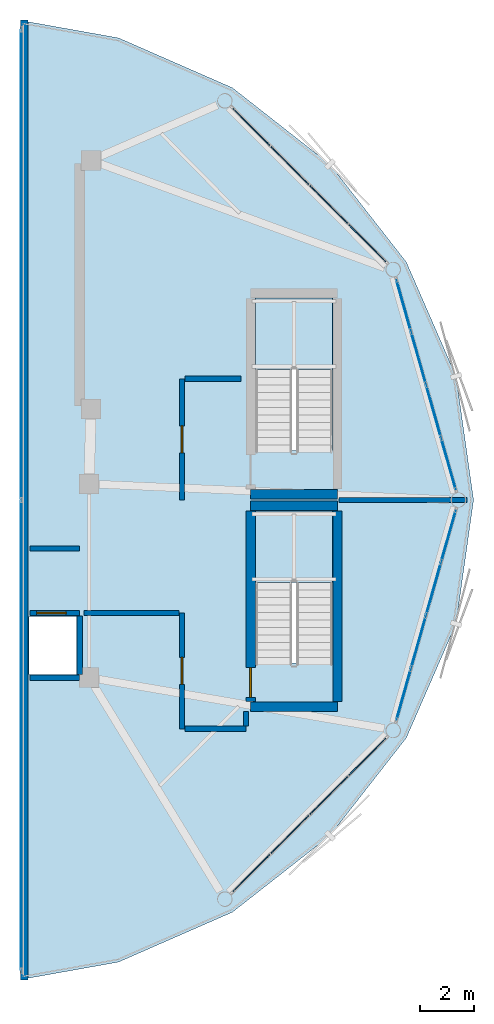
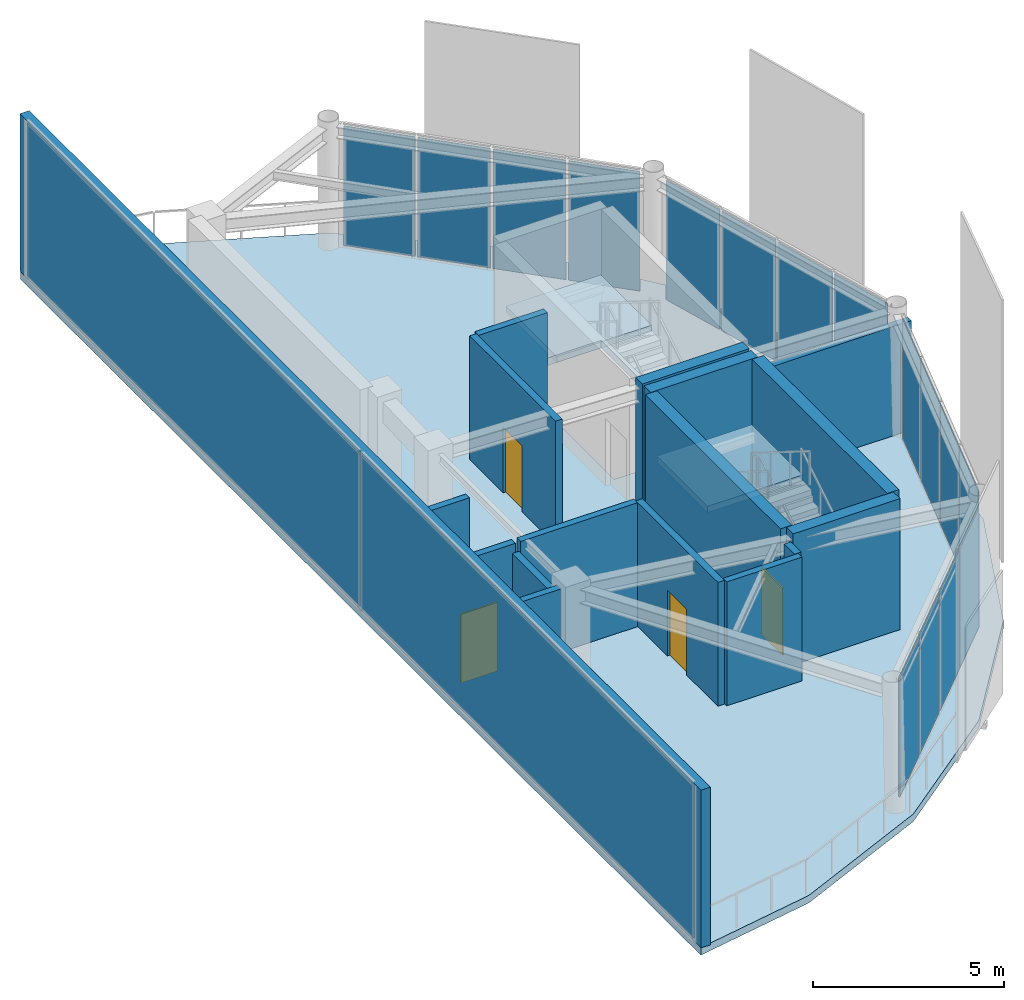
# One storey, part 11 of 13: 18 plates, 17 walls, 4 doors, 3 slabs, 4 openings, 7 elements without a shape of their own.
"""IFC4 building model written with IfcOpenShell, lengths in metres."""

from ifc_helpers import new_model, si_unit, direction, frame, frame_2d, origin, origin_2d, place, context, subcontext, project, spatial, polyline, rectangle, outline, extrude, source, transform, mapped, material, layer, layer_set, type_object, type_shapes, element, fill, aggregate, save


model = new_model("IFC4")

# Units and contexts
model_context = context("Model", 3, precision=1e-05, world=origin(), true_north=direction((0.0, 1.0)))
body_context = subcontext(model_context, "Body", "Model", "MODEL_VIEW")
ifc_project = project(units=[si_unit("LENGTHUNIT", "METRE"), si_unit("AREAUNIT", "SQUARE_METRE"), si_unit("VOLUMEUNIT", "CUBIC_METRE"), si_unit("PLANEANGLEUNIT", "RADIAN"), si_unit("MASSUNIT", "GRAM", prefix="KILO")], contexts=[model_context])

# Site, building, storey
site_placement = place(None, origin())
site = spatial("IfcSite", under=ifc_project, at=site_placement, CompositionType="ELEMENT")
building_placement = place(site_placement, origin())
building = spatial("IfcBuilding", under=site, at=building_placement, Name="Varnakorn Sky Granary", CompositionType="ELEMENT")
storey_placement = place(building_placement, frame((0.0, 0.0, 315.0)))
storey = spatial("IfcBuildingStorey", under=building, at=storey_placement, Name="L80", CompositionType="ELEMENT", Elevation=315.0)

# Stair, slab
ifc_material_1 = material(Name="Concrete C40/50", Category="concrete")
stair_type = type_object("IfcStairType", Name="ST-CRWN-ASSEMBLY", PredefinedType="HALF_TURN_STAIR", material=ifc_material_1)
stair_1_placement = place(storey_placement, origin())
stair_1 = element("IfcStair", 1, at=stair_1_placement, inside=storey, type_object=stair_type, Name="L80 Crown North Exit Stair ST-C1", PredefinedType="HALF_TURN_STAIR")
ifc_layer_1 = layer(ifc_material_1, 0.199951171875, Name="Concrete C40/50")
ifc_layer_set_1 = layer_set([ifc_layer_1], Name="Concrete C40/50")
slab_type_1 = type_object("IfcSlabType", Name="ST-CRWN-LAND", PredefinedType="LANDING", material=ifc_layer_set_1)
slab_1_placement = place(storey_placement, frame((0.0, 0.0, 1.89990234375)))
slab_1 = element("IfcSlab", 2, at=slab_1_placement, type_object=slab_type_1, Name="ST-C1 landing 1", PredefinedType="LANDING", context=body_context, shape_type="SweptSolid", body=[
    extrude(outline(polyline([(17.39990234375, 4.840087890625), (17.39990234375, 7.5), (14.530029296875, 7.5), (14.530029296875, 4.840087890625), (17.39990234375, 4.840087890625)])), origin(), (0.0, 0.0, 1.0), 0.2001953125),
])
aggregate(stair_1, [slab_1])

stair_2_placement = place(storey_placement, origin())
stair_2 = element("IfcStair", 3, at=stair_2_placement, inside=storey, type_object=stair_type, Name="L80 Crown South Exit Stair ST-C2", PredefinedType="HALF_TURN_STAIR")
slab_2_placement = place(storey_placement, frame((0.0, 0.0, 1.89990234375)))
slab_2 = element("IfcSlab", 4, at=slab_2_placement, type_object=slab_type_1, Name="ST-C2 landing 1", PredefinedType="LANDING", context=body_context, shape_type="SweptSolid", body=[
    extrude(outline(polyline([(17.39990234375, -3.06005859375), (17.39990234375, -0.39990234375), (14.530029296875, -0.39990234375), (14.530029296875, -3.06005859375), (17.39990234375, -3.06005859375)])), origin(), (0.0, 0.0, 1.0), 0.2001953125),
])
aggregate(stair_2, [slab_2])

# Slab
ifc_material_2 = material(Name="Concrete C50/60", Category="concrete")
ifc_layer_2 = layer(ifc_material_2, 0.239990234375, Name="Concrete C50/60")
ifc_layer_set_2 = layer_set([ifc_layer_2], Name="Concrete C50/60")
slab_type_2 = type_object("IfcSlabType", Name="ST-SL-TWR-240", PredefinedType="FLOOR", material=ifc_layer_set_2)
slab_3_placement = place(storey_placement, frame((0.0, 0.0, -0.239990234375)))
element("IfcSlab", 5, at=slab_3_placement, inside=storey, type_object=slab_type_2, Name="Level L80 Structural Floor Slab", PredefinedType="FLOOR", context=body_context, shape_type="SweptSolid", body=[
    extrude(outline(polyline([(22.635986328125, 0.0), (21.986572265625, 4.600830078125), (20.13623046875, 8.843017578125), (17.29931640625, 12.47412109375), (13.675537109375, 15.31640625), (9.441650390625, 17.17041015625), (5.800048828125, 17.821044921875), (5.800048828125, 17.17041015625), (5.800048828125, 15.31640625), (5.800048828125, 12.47412109375), (5.800048828125, 8.843017578125), (5.800048828125, 4.600830078125), (5.800048828125, 0.0), (5.800048828125, -4.600830078125), (5.800048828125, -8.843017578125), (5.800048828125, -12.47412109375), (5.800048828125, -15.31640625), (5.800048828125, -17.17041015625), (5.800048828125, -17.821044921875), (9.441650390625, -17.17041015625), (13.675537109375, -15.31640625), (17.29931640625, -12.47412109375), (20.13623046875, -8.843017578125), (21.986572265625, -4.600830078125), (22.635986328125, 0.0)]), holes=[polyline([(17.39990234375, 1.8349609375), (17.39990234375, 7.5), (14.530029296875, 7.5), (14.530029296875, 1.8349609375), (17.39990234375, 1.8349609375)]), polyline([(17.39990234375, -6.06494140625), (17.39990234375, -0.39990234375), (14.530029296875, -0.39990234375), (14.530029296875, -6.06494140625), (17.39990234375, -6.06494140625)]), polyline([(6.1201171875, -6.47998046875), (7.8798828125, -6.47998046875), (7.8798828125, -4.320068359375), (6.1201171875, -4.320068359375), (6.1201171875, -6.47998046875)])]), origin(), (0.0, 0.0, 1.0), 0.239990234375),
])

# Curtain wall, plates
ifc_material_3 = material(Name="Anodised Bronze Aluminium Alloy 6063-T6", Category="aluminium")
ifc_layer_3 = layer(ifc_material_3, 0.22998046875, Name="Anodised Bronze Aluminium Alloy 6063-T6")
ifc_layer_set_3 = layer_set([ifc_layer_3], Name="Anodised Bronze Aluminium Alloy 6063-T6")
curtain_wall_type = type_object("IfcCurtainWallType", Name="CW-LNT-1", PredefinedType="USERDEFINED", material=ifc_layer_set_3)
curtain_wall_1_placement = place(storey_placement, origin())
curtain_wall_1 = element("IfcCurtainWall", 6, at=curtain_wall_1_placement, inside=storey, type_object=curtain_wall_type, Name="Unitised Curtain Wall CW7 CW-L80-B01", ObjectType="CURTAIN WALL", PredefinedType="USERDEFINED")
ifc_material_4 = material(Name="Low-E Tinted Laminated Glass", Category="glass")
ifc_layer_4 = layer(ifc_material_4, 0.035888671875, Name="Low-E Tinted Laminated Glass")
ifc_layer_set_4 = layer_set([ifc_layer_4], Name="Low-E Tinted Laminated Glass")
plate_type = type_object("IfcPlateType", Name="CW-LNT-1-PNL", PredefinedType="CURTAIN_PANEL")
shared_shape_1 = source(origin(), body_context, "Body", "SweptSolid", [
    extrude(rectangle(XDim=1.9814453125, YDim=0.035888671875, at=origin_2d()), origin(), (0.0, 0.0, 1.0), 3.81005859375),
])
plate_1_placement = place(storey_placement, frame((20.5927734375, 5.2734375, 0.074951171875), z_axis=(0.0, 0.0, 1.0), x_axis=(0.272448396027, -0.962170396293, 0.0)))
plate_1 = element("IfcPlate", 7, at=plate_1_placement, type_object=plate_type, material=ifc_layer_set_4, Name="CW7 vision glazing unit 2.1", PredefinedType="CURTAIN_PANEL", context=body_context, shape_type="MappedRepresentation", body=[
    mapped(shared_shape_1, transform((0.0, 0.0, 0.0), x_axis=(1.0, 0.0, 0.0), y_axis=(0.0, 1.0, 0.0), z_axis=(0.0, 0.0, 1.0), scale=1.0)),
])
plate_2_placement = place(storey_placement, frame((21.153076171875, 3.294677734375, 0.074951171875), z_axis=(0.0, 0.0, 1.0), x_axis=(0.272448396027, -0.962170396293, 0.0)))
plate_2 = element("IfcPlate", 8, at=plate_2_placement, type_object=plate_type, material=ifc_layer_set_4, Name="CW7 vision glazing unit 3.1", PredefinedType="CURTAIN_PANEL", context=body_context, shape_type="MappedRepresentation", body=[
    mapped(shared_shape_1, transform((0.0, 0.0, 0.0), x_axis=(1.0, 0.0, 0.0), y_axis=(0.0, 1.0, 0.0), z_axis=(0.0, 0.0, 1.0), scale=1.0)),
])

curtain_wall_2_placement = place(storey_placement, origin())
curtain_wall_2 = element("IfcCurtainWall", 9, at=curtain_wall_2_placement, inside=storey, type_object=curtain_wall_type, Name="Unitised Curtain Wall CW7 CW-L80-B12", ObjectType="CURTAIN WALL", PredefinedType="USERDEFINED")
plate_3_placement = place(storey_placement, frame((21.153076171875, -3.294677734375, 0.074951171875), z_axis=(0.0, 0.0, 1.0), x_axis=(-0.272448396027, -0.962170396293, 0.0)))
plate_3 = element("IfcPlate", 10, at=plate_3_placement, type_object=plate_type, material=ifc_layer_set_4, Name="CW7 vision glazing unit 2.1", PredefinedType="CURTAIN_PANEL", context=body_context, shape_type="MappedRepresentation", body=[
    mapped(shared_shape_1, transform((0.0, 0.0, 0.0), x_axis=(1.0, 0.0, 0.0), y_axis=(0.0, 1.0, 0.0), z_axis=(0.0, 0.0, 1.0), scale=1.0)),
])
plate_4_placement = place(storey_placement, frame((20.5927734375, -5.2734375, 0.074951171875), z_axis=(0.0, 0.0, 1.0), x_axis=(-0.272448396027, -0.962170396293, 0.0)))
plate_4 = element("IfcPlate", 11, at=plate_4_placement, type_object=plate_type, material=ifc_layer_set_4, Name="CW7 vision glazing unit 3.1", PredefinedType="CURTAIN_PANEL", context=body_context, shape_type="MappedRepresentation", body=[
    mapped(shared_shape_1, transform((0.0, 0.0, 0.0), x_axis=(1.0, 0.0, 0.0), y_axis=(0.0, 1.0, 0.0), z_axis=(0.0, 0.0, 1.0), scale=1.0)),
])

# Plate
shared_shape_2 = source(origin(), body_context, "Body", "SweptSolid", [
    extrude(rectangle(XDim=1.94384765625, YDim=0.035888671875, at=origin_2d()), origin(), (0.0, 0.0, 1.0), 3.81005859375),
])
plate_5_placement = place(storey_placement, frame((20.03759765625, 7.23388671875, 0.074951171875), z_axis=(0.0, 0.0, 1.0), x_axis=(0.272448396027, -0.962170396293, 0.0)))
plate_5 = element("IfcPlate", 12, at=plate_5_placement, type_object=plate_type, material=ifc_layer_set_4, Name="CW7 vision glazing unit 1.1", PredefinedType="CURTAIN_PANEL", context=body_context, shape_type="MappedRepresentation", body=[
    mapped(shared_shape_2, transform((0.0, 0.0, 0.0), x_axis=(1.0, 0.0, 0.0), y_axis=(0.0, 1.0, 0.0), z_axis=(0.0, 0.0, 1.0), scale=1.0)),
])

plate_6_placement = place(storey_placement, frame((21.708251953125, 1.333984375, 0.074951171875), z_axis=(0.0, 0.0, 1.0), x_axis=(0.272448396027, -0.962170396293, 0.0)))
plate_6 = element("IfcPlate", 13, at=plate_6_placement, type_object=plate_type, material=ifc_layer_set_4, Name="CW7 vision glazing unit 4.1", PredefinedType="CURTAIN_PANEL", context=body_context, shape_type="MappedRepresentation", body=[
    mapped(shared_shape_2, transform((0.0, 0.0, 0.0), x_axis=(1.0, 0.0, 0.0), y_axis=(0.0, 1.0, 0.0), z_axis=(0.0, 0.0, 1.0), scale=1.0)),
])

aggregate(curtain_wall_1, [plate_5, plate_1, plate_2, plate_6])

plate_7_placement = place(storey_placement, frame((21.708251953125, -1.333984375, 0.074951171875), z_axis=(0.0, 0.0, 1.0), x_axis=(-0.272448396027, -0.962170396293, 0.0)))
plate_7 = element("IfcPlate", 14, at=plate_7_placement, type_object=plate_type, material=ifc_layer_set_4, Name="CW7 vision glazing unit 1.1", PredefinedType="CURTAIN_PANEL", context=body_context, shape_type="MappedRepresentation", body=[
    mapped(shared_shape_2, transform((0.0, 0.0, 0.0), x_axis=(1.0, 0.0, 0.0), y_axis=(0.0, 1.0, 0.0), z_axis=(0.0, 0.0, 1.0), scale=1.0)),
])

plate_8_placement = place(storey_placement, frame((20.03759765625, -7.23388671875, 0.074951171875), z_axis=(0.0, 0.0, 1.0), x_axis=(-0.272448396027, -0.962170396293, 0.0)))
plate_8 = element("IfcPlate", 15, at=plate_8_placement, type_object=plate_type, material=ifc_layer_set_4, Name="CW7 vision glazing unit 4.1", PredefinedType="CURTAIN_PANEL", context=body_context, shape_type="MappedRepresentation", body=[
    mapped(shared_shape_2, transform((0.0, 0.0, 0.0), x_axis=(1.0, 0.0, 0.0), y_axis=(0.0, 1.0, 0.0), z_axis=(0.0, 0.0, 1.0), scale=1.0)),
])

aggregate(curtain_wall_2, [plate_7, plate_3, plate_4, plate_8])

# Curtain wall, plates
curtain_wall_3_placement = place(storey_placement, origin())
curtain_wall_3 = element("IfcCurtainWall", 16, at=curtain_wall_3_placement, inside=storey, type_object=curtain_wall_type, Name="Unitised Curtain Wall CW7 CW-L80-B02", ObjectType="CURTAIN WALL", PredefinedType="USERDEFINED")
shared_shape_3 = source(origin(), body_context, "Body", "SweptSolid", [
    extrude(rectangle(XDim=1.93310546875, YDim=0.035888671875, at=origin_2d()), origin(), (0.0, 0.0, 1.0), 3.81005859375),
])
plate_9_placement = place(storey_placement, frame((14.3759765625, 13.86279296875, 0.074951171875), z_axis=(0.0, 0.0, 1.0), x_axis=(0.706385337798, -0.707827489254, 0.0)))
plate_9 = element("IfcPlate", 17, at=plate_9_placement, type_object=plate_type, material=ifc_layer_set_4, Name="CW7 vision glazing unit 1.1", PredefinedType="CURTAIN_PANEL", context=body_context, shape_type="MappedRepresentation", body=[
    mapped(shared_shape_3, transform((0.0, 0.0, 0.0), x_axis=(1.0, 0.0, 0.0), y_axis=(0.0, 1.0, 0.0), z_axis=(0.0, 0.0, 1.0), scale=1.0)),
])
plate_10_placement = place(storey_placement, frame((18.684326171875, 9.54541015625, 0.074951171875), z_axis=(0.0, 0.0, 1.0), x_axis=(0.706385337798, -0.707827489254, 0.0)))
plate_10 = element("IfcPlate", 18, at=plate_10_placement, type_object=plate_type, material=ifc_layer_set_4, Name="CW7 vision glazing unit 4.1", PredefinedType="CURTAIN_PANEL", context=body_context, shape_type="MappedRepresentation", body=[
    mapped(shared_shape_3, transform((0.0, 0.0, 0.0), x_axis=(1.0, 0.0, 0.0), y_axis=(0.0, 1.0, 0.0), z_axis=(0.0, 0.0, 1.0), scale=1.0)),
])

curtain_wall_4_placement = place(storey_placement, origin())
curtain_wall_4 = element("IfcCurtainWall", 19, at=curtain_wall_4_placement, inside=storey, type_object=curtain_wall_type, Name="Unitised Curtain Wall CW7 CW-L80-B11", ObjectType="CURTAIN WALL", PredefinedType="USERDEFINED")
plate_11_placement = place(storey_placement, frame((18.684326171875, -9.54541015625, 0.074951171875), z_axis=(0.0, 0.0, 1.0), x_axis=(-0.706385337798, -0.707827489254, 0.0)))
plate_11 = element("IfcPlate", 20, at=plate_11_placement, type_object=plate_type, material=ifc_layer_set_4, Name="CW7 vision glazing unit 1.1", PredefinedType="CURTAIN_PANEL", context=body_context, shape_type="MappedRepresentation", body=[
    mapped(shared_shape_3, transform((0.0, 0.0, 0.0), x_axis=(1.0, 0.0, 0.0), y_axis=(0.0, 1.0, 0.0), z_axis=(0.0, 0.0, 1.0), scale=1.0)),
])
plate_12_placement = place(storey_placement, frame((14.3759765625, -13.86279296875, 0.074951171875), z_axis=(0.0, 0.0, 1.0), x_axis=(-0.706385337798, -0.707827489254, 0.0)))
plate_12 = element("IfcPlate", 21, at=plate_12_placement, type_object=plate_type, material=ifc_layer_set_4, Name="CW7 vision glazing unit 4.1", PredefinedType="CURTAIN_PANEL", context=body_context, shape_type="MappedRepresentation", body=[
    mapped(shared_shape_3, transform((0.0, 0.0, 0.0), x_axis=(1.0, 0.0, 0.0), y_axis=(0.0, 1.0, 0.0), z_axis=(0.0, 0.0, 1.0), scale=1.0)),
])

# Plate
shared_shape_4 = source(origin(), body_context, "Body", "SweptSolid", [
    extrude(rectangle(XDim=1.970458984375, YDim=0.035888671875, at=origin_2d()), origin(), (0.0, 0.0, 1.0), 3.81005859375),
])
plate_13_placement = place(storey_placement, frame((15.8076171875, 12.427978515625, 0.074951171875), z_axis=(0.0, 0.0, 1.0), x_axis=(0.706385337798, -0.707827489254, 0.0)))
plate_13 = element("IfcPlate", 22, at=plate_13_placement, type_object=plate_type, material=ifc_layer_set_4, Name="CW7 vision glazing unit 2.1", PredefinedType="CURTAIN_PANEL", context=body_context, shape_type="MappedRepresentation", body=[
    mapped(shared_shape_4, transform((0.0, 0.0, 0.0), x_axis=(1.0, 0.0, 0.0), y_axis=(0.0, 1.0, 0.0), z_axis=(0.0, 0.0, 1.0), scale=1.0)),
])

plate_14_placement = place(storey_placement, frame((17.252685546875, 10.980224609375, 0.074951171875), z_axis=(0.0, 0.0, 1.0), x_axis=(0.706385337798, -0.707827489254, 0.0)))
plate_14 = element("IfcPlate", 23, at=plate_14_placement, type_object=plate_type, material=ifc_layer_set_4, Name="CW7 vision glazing unit 3.1", PredefinedType="CURTAIN_PANEL", context=body_context, shape_type="MappedRepresentation", body=[
    mapped(shared_shape_4, transform((0.0, 0.0, 0.0), x_axis=(1.0, 0.0, 0.0), y_axis=(0.0, 1.0, 0.0), z_axis=(0.0, 0.0, 1.0), scale=1.0)),
])

aggregate(curtain_wall_3, [plate_9, plate_13, plate_14, plate_10])

plate_15_placement = place(storey_placement, frame((17.252685546875, -10.980224609375, 0.074951171875), z_axis=(0.0, 0.0, 1.0), x_axis=(-0.706385337798, -0.707827489254, 0.0)))
plate_15 = element("IfcPlate", 24, at=plate_15_placement, type_object=plate_type, material=ifc_layer_set_4, Name="CW7 vision glazing unit 2.1", PredefinedType="CURTAIN_PANEL", context=body_context, shape_type="MappedRepresentation", body=[
    mapped(shared_shape_4, transform((0.0, 0.0, 0.0), x_axis=(1.0, 0.0, 0.0), y_axis=(0.0, 1.0, 0.0), z_axis=(0.0, 0.0, 1.0), scale=1.0)),
])

plate_16_placement = place(storey_placement, frame((15.8076171875, -12.427978515625, 0.074951171875), z_axis=(0.0, 0.0, 1.0), x_axis=(-0.706385337798, -0.707827489254, 0.0)))
plate_16 = element("IfcPlate", 25, at=plate_16_placement, type_object=plate_type, material=ifc_layer_set_4, Name="CW7 vision glazing unit 3.1", PredefinedType="CURTAIN_PANEL", context=body_context, shape_type="MappedRepresentation", body=[
    mapped(shared_shape_4, transform((0.0, 0.0, 0.0), x_axis=(1.0, 0.0, 0.0), y_axis=(0.0, 1.0, 0.0), z_axis=(0.0, 0.0, 1.0), scale=1.0)),
])

aggregate(curtain_wall_4, [plate_11, plate_15, plate_16, plate_12])

# Curtain wall, plates
curtain_wall_5_placement = place(storey_placement, origin())
curtain_wall_5 = element("IfcCurtainWall", 26, at=curtain_wall_5_placement, inside=storey, type_object=curtain_wall_type, Name="Unitised Curtain Wall CW7 CW-L80-SLANT", ObjectType="CURTAIN WALL", PredefinedType="USERDEFINED")
shared_shape_5 = source(origin(), body_context, "Body", "SweptSolid", [
    extrude(rectangle(XDim=17.423095703125, YDim=0.035888671875, at=origin_2d()), origin(), (0.0, 0.0, 1.0), 4.893798828125),
])
type_shapes(plate_type, [shared_shape_1, shared_shape_2, shared_shape_3, shared_shape_4, shared_shape_5])
plate_17_placement = place(storey_placement, frame((5.820068359375, -8.7490234375, 0.0751953125), z_axis=(0.0, 0.0, 1.0), x_axis=(0.0, 1.0, 0.0)))
plate_17 = element("IfcPlate", 27, at=plate_17_placement, type_object=plate_type, material=ifc_layer_set_4, Name="CW7 vision glazing unit 1.1", PredefinedType="CURTAIN_PANEL", context=body_context, shape_type="MappedRepresentation", body=[
    mapped(shared_shape_5, transform((0.0, 0.0, 0.0), x_axis=(1.0, 0.0, 0.0), y_axis=(0.0, 1.0, 0.0), z_axis=(0.0, 0.0, 1.0), scale=1.0)),
])
plate_18_placement = place(storey_placement, frame((5.820068359375, 8.7490234375, 0.0751953125), z_axis=(0.0, 0.0, 1.0), x_axis=(0.0, 1.0, 0.0)))
plate_18 = element("IfcPlate", 28, at=plate_18_placement, type_object=plate_type, material=ifc_layer_set_4, Name="CW7 vision glazing unit 2.1", PredefinedType="CURTAIN_PANEL", context=body_context, shape_type="MappedRepresentation", body=[
    mapped(shared_shape_5, transform((0.0, 0.0, 0.0), x_axis=(1.0, 0.0, 0.0), y_axis=(0.0, 1.0, 0.0), z_axis=(0.0, 0.0, 1.0), scale=1.0)),
])
aggregate(curtain_wall_5, [plate_17, plate_18])

# Walls
ifc_layer_5 = layer(ifc_material_2, 0.35009765625, Name="Concrete C50/60")
ifc_layer_set_5 = layer_set([ifc_layer_5], Name="Concrete C50/60")
wall_type_1 = type_object("IfcWallType", Name="WT-CW-INT-350", PredefinedType="SHEAR", material=ifc_layer_set_5)
for number, where, z_axis, x_axis, name in (
    (29, (14.35009765625, 0.219970703125, 0.0), (0.0, 0.0, 1.0), (1.0, 0.0, 0.0), "Crown Stair STC1 South Wall L80"),
    (30, (14.35009765625, -7.679931640625, 0.0), (0.0, 0.0, 1.0), (1.0, 0.0, 0.0), "Crown Stair STC2 South Wall L80"),
    (31, (14.35009765625, -0.219970703125, 0.0), (0.0, 0.0, 1.0), (1.0, 0.0, 0.0), "Crown Stair STC2 North Wall L80"),
):
    element("IfcWall", number, at=place(storey_placement, frame(where, z_axis=z_axis, x_axis=x_axis)), inside=storey, type_object=wall_type_1, Name=name, PredefinedType="SHEAR", context=body_context, shape_type="SweptSolid", body=[
        extrude(rectangle(XDim=3.22998046875, YDim=0.35009765625, at=frame_2d((1.614990234375, 0.0))), origin(), (0.0, 0.0, 1.0), 4.19189453125),
    ])

# Wall, opening, door
wall_1_placement = place(storey_placement, frame((14.35009765625, -7.489990234375, 0.0), z_axis=(0.0, 0.0, 1.0), x_axis=(0.0, 1.0, 0.0)))
wall_1 = element("IfcWall", 32, at=wall_1_placement, inside=storey, type_object=wall_type_1, Name="Crown Stair STC2 West Wall L80", PredefinedType="SHEAR", context=body_context, shape_type="SweptSolid", body=[
    extrude(rectangle(XDim=7.080078125, YDim=0.35009765625, at=frame_2d((3.5400390625, 0.0))), origin(), (0.0, 0.0, 1.0), 4.19189453125),
])
opening_1_placement = place(wall_1_placement, frame((0.159912109375, 0.0, 0.0)))
opening_1 = element("IfcOpeningElement", 33, at=opening_1_placement, cuts=wall_1, Name="Opening FD-90", PredefinedType="OPENING", context=body_context, shape_type="SweptSolid", body=[
    extrude(rectangle(XDim=1.10009765625, YDim=2.14990234375, at=frame_2d((0.550048828125, 1.074951171875))), frame((0.0, 0.18505859375, 0.0), z_axis=(0.0, -1.0, 0.0), x_axis=(1.0, 0.0, 0.0)), (0.0, 0.0, 1.0), 0.3701171875),
])
ifc_material_5 = material(Name="Galvanised Painted Steel Leaf", Category="steel")
door_type_1 = type_object("IfcDoorType", Name="DR-STAIR-1100", OperationType="NOTDEFINED", PredefinedType="DOOR", material=ifc_material_5)
door_1_placement = place(opening_1_placement, origin())
door_1 = element("IfcDoor", 34, at=door_1_placement, inside=storey, type_object=door_type_1, Name="Crown Stair STC2 Protected Fire Door L80", OperationType="SINGLE_SWING_RIGHT", OverallHeight=2.14990234375, OverallWidth=1.10009765625, PredefinedType="DOOR", context=body_context, shape_type="SweptSolid", body=[
    extrude(rectangle(XDim=1.10009765625, YDim=2.14990234375, at=frame_2d((0.550048828125, 1.074951171875))), frame((0.0, 0.02490234375, 0.0), z_axis=(0.0, -1.0, 0.0), x_axis=(1.0, 0.0, 0.0)), (0.0, 0.0, 1.0), 0.050048828125),
])
fill(opening_1, door_1)

# Walls
wall_2_placement = place(storey_placement, frame((17.580078125, -7.489990234375, 0.0), z_axis=(0.0, 0.0, 1.0), x_axis=(0.0, 1.0, 0.0)))
element("IfcWall", 35, at=wall_2_placement, inside=storey, type_object=wall_type_1, Name="Crown Stair STC2 East Wall L80", PredefinedType="SHEAR", context=body_context, shape_type="SweptSolid", body=[
    extrude(rectangle(XDim=7.080078125, YDim=0.35009765625, at=frame_2d((3.5400390625, 0.0))), origin(), (0.0, 0.0, 1.0), 4.19189453125),
])
ifc_material_6 = material(Name="Precast concrete C40/50", Category="concrete")
ifc_layer_6 = layer(ifc_material_6, 0.280029296875, Name="Precast concrete C40/50")
ifc_layer_set_6 = layer_set([ifc_layer_6], Name="Precast concrete C40/50")
wall_type_2 = type_object("IfcWallType", Name="WT-EW-CRN-280", PredefinedType="SOLIDWALL", material=ifc_layer_set_6)
wall_3_placement = place(storey_placement, frame((5.93994140625, -17.83544921875, 0.0), z_axis=(0.0, 0.0, 1.0), x_axis=(0.0, 1.0, 0.0)))
element("IfcWall", 36, at=wall_3_placement, inside=storey, type_object=wall_type_2, Name="Crown Slanted-Cut Enclosure Wall L80", PredefinedType="SOLIDWALL", context=body_context, shape_type="SweptSolid", body=[
    extrude(rectangle(XDim=35.6708984375, YDim=0.280029296875, at=frame_2d((17.83544921875, 0.0))), origin(), (0.0, 0.0, 1.0), 5.043701171875),
])

# Wall, opening, door
ifc_material_7 = material(Name="Autoclaved Aerated Concrete Blockwork", Category="masonry")
ifc_layer_7 = layer(ifc_material_7, 0.199951171875, Name="Autoclaved Aerated Concrete Blockwork")
ifc_layer_set_7 = layer_set([ifc_layer_7], Name="Autoclaved Aerated Concrete Blockwork")
wall_type_3 = type_object("IfcWallType", Name="WT-FIRE-200", PredefinedType="MOVABLE", material=ifc_layer_set_7)
wall_4_placement = place(storey_placement, frame((11.800048828125, 4.5, 0.0), z_axis=(0.0, 0.0, 1.0), x_axis=(0.0, -1.0, 0.0)))
wall_4 = element("IfcWall", 37, at=wall_4_placement, inside=storey, type_object=wall_type_3, Name="Interior Partition Wall L80-004", PredefinedType="MOVABLE", context=body_context, shape_type="SweptSolid", body=[
    extrude(rectangle(XDim=4.5, YDim=0.199951171875, at=frame_2d((2.25, 0.0))), origin(), (0.0, 0.0, 1.0), 3.9599609375),
])
opening_2_placement = place(wall_4_placement, frame((1.75, 0.0, 0.0)))
opening_2 = element("IfcOpeningElement", 38, at=opening_2_placement, cuts=wall_4, Name="Opening FD-60", PredefinedType="OPENING", context=body_context, shape_type="SweptSolid", body=[
    extrude(rectangle(XDim=1.0, YDim=2.10009765625, at=frame_2d((0.5, 1.050048828125))), frame((0.0, 0.10986328125, 0.0), z_axis=(0.0, -1.0, 0.0), x_axis=(1.0, 0.0, 0.0)), (0.0, 0.0, 1.0), 0.219970703125),
])
ifc_material_8 = material(Name="Acoustic Timber Fire Leaf", Category="wood")
door_type_2 = type_object("IfcDoorType", Name="DR-FD60-1000", OperationType="NOTDEFINED", PredefinedType="DOOR", material=ifc_material_8)
door_2_placement = place(opening_2_placement, origin())
door_2 = element("IfcDoor", 39, at=door_2_placement, inside=storey, type_object=door_type_2, Name="Interior Door L80-004-1", OperationType="SINGLE_SWING_RIGHT", OverallHeight=2.10009765625, OverallWidth=1.0, PredefinedType="DOOR", context=body_context, shape_type="SweptSolid", body=[
    extrude(rectangle(XDim=1.0, YDim=2.10009765625, at=frame_2d((0.5, 1.050048828125))), frame((0.0, 0.02490234375, 0.0), z_axis=(0.0, -1.0, 0.0), x_axis=(1.0, 0.0, 0.0)), (0.0, 0.0, 1.0), 0.050048828125),
])
fill(opening_2, door_2)

wall_5_placement = place(storey_placement, frame((11.800048828125, -4.199951171875, 0.0), z_axis=(0.0, 0.0, 1.0), x_axis=(0.0, -1.0, 0.0)))
wall_5 = element("IfcWall", 40, at=wall_5_placement, inside=storey, type_object=wall_type_3, Name="Interior Partition Wall L80-005", PredefinedType="MOVABLE", context=body_context, shape_type="SweptSolid", body=[
    extrude(rectangle(XDim=4.300048828125, YDim=0.199951171875, at=frame_2d((2.14990234375, 0.0))), origin(), (0.0, 0.0, 1.0), 3.9599609375),
])
opening_3_placement = place(wall_5_placement, frame((1.64990234375, 0.0, 0.0)))
opening_3 = element("IfcOpeningElement", 41, at=opening_3_placement, cuts=wall_5, Name="Opening FD-60", PredefinedType="OPENING", context=body_context, shape_type="SweptSolid", body=[
    extrude(rectangle(XDim=1.0, YDim=2.10009765625, at=frame_2d((0.5, 1.050048828125))), frame((0.0, 0.10986328125, 0.0), z_axis=(0.0, -1.0, 0.0), x_axis=(1.0, 0.0, 0.0)), (0.0, 0.0, 1.0), 0.219970703125),
])
door_3_placement = place(opening_3_placement, origin())
door_3 = element("IfcDoor", 42, at=door_3_placement, inside=storey, type_object=door_type_2, Name="Interior Door L80-005-1", OperationType="SINGLE_SWING_LEFT", OverallHeight=2.10009765625, OverallWidth=1.0, PredefinedType="DOOR", context=body_context, shape_type="SweptSolid", body=[
    extrude(rectangle(XDim=1.0, YDim=2.10009765625, at=frame_2d((0.5, 1.050048828125))), frame((0.0, 0.02490234375, 0.0), z_axis=(0.0, -1.0, 0.0), x_axis=(1.0, 0.0, 0.0)), (0.0, 0.0, 1.0), 0.050048828125),
])
fill(opening_3, door_3)

# Walls
wall_6_placement = place(storey_placement, frame((6.14990234375, -1.800048828125, 0.0), z_axis=(0.0, 0.0, 1.0), x_axis=(1.0, 0.0, 0.0)))
element("IfcWall", 43, at=wall_6_placement, inside=storey, type_object=wall_type_3, Name="Interior Partition Wall L80-006", PredefinedType="MOVABLE", context=body_context, shape_type="SweptSolid", body=[
    extrude(rectangle(XDim=1.85009765625, YDim=0.199951171875, at=frame_2d((0.925048828125, 0.0))), origin(), (0.0, 0.0, 1.0), 3.9599609375),
])
wall_7_placement = place(storey_placement, frame((13.9951171875, 4.5, 0.0), z_axis=(0.0, 0.0, 1.0), x_axis=(-1.0, 0.0, 0.0)))
element("IfcWall", 44, at=wall_7_placement, inside=storey, type_object=wall_type_3, Name="Interior Partition Wall L80-007", PredefinedType="MOVABLE", context=body_context, shape_type="SweptSolid", body=[
    extrude(rectangle(XDim=2.085205078125, YDim=0.199951171875, at=frame_2d((1.04248046875, 0.0))), origin(), (0.0, 0.0, 1.0), 3.9599609375),
])
wall_8_placement = place(storey_placement, frame((8.159912109375, -4.199951171875, 0.0), z_axis=(0.0, 0.0, 1.0), x_axis=(1.0, 0.0, 0.0)))
element("IfcWall", 45, at=wall_8_placement, inside=storey, type_object=wall_type_3, Name="Interior Partition Wall L80-008", PredefinedType="MOVABLE", context=body_context, shape_type="SweptSolid", body=[
    extrude(rectangle(XDim=3.530029296875, YDim=0.199951171875, at=frame_2d((1.76513671875, 0.0))), origin(), (0.0, 0.0, 1.0), 3.9599609375),
])
wall_9_placement = place(storey_placement, frame((11.909912109375, -8.5, 0.0), z_axis=(0.0, 0.0, 1.0), x_axis=(1.0, 0.0, 0.0)))
element("IfcWall", 46, at=wall_9_placement, inside=storey, type_object=wall_type_3, Name="Interior Partition Wall L80-009", PredefinedType="MOVABLE", context=body_context, shape_type="SweptSolid", body=[
    extrude(rectangle(XDim=2.27001953125, YDim=0.199951171875, at=frame_2d((1.135009765625, 0.0))), origin(), (0.0, 0.0, 1.0), 3.9599609375),
])
wall_10_placement = place(storey_placement, frame((14.179931640625, -8.389892578125, 0.0), z_axis=(0.0, 0.0, 1.0), x_axis=(0.0, 1.0, 0.0)))
element("IfcWall", 47, at=wall_10_placement, inside=storey, type_object=wall_type_3, Name="Interior Partition Wall L80-010", PredefinedType="MOVABLE", context=body_context, shape_type="SweptSolid", body=[
    extrude(rectangle(XDim=0.539794921875, YDim=0.199951171875, at=frame_2d((0.27001953125, 0.0))), origin(), (0.0, 0.0, 1.0), 3.9599609375),
])
wall_11_placement = place(storey_placement, frame((22.39599609375, 0.0, 0.0), z_axis=(0.0, 0.0, 1.0), x_axis=(-1.0, 0.0, 0.0)))
element("IfcWall", 48, at=wall_11_placement, inside=storey, type_object=wall_type_3, Name="Interior Partition Wall L80-011", PredefinedType="MOVABLE", context=body_context, shape_type="SweptSolid", body=[
    extrude(rectangle(XDim=4.76611328125, YDim=0.199951171875, at=frame_2d((2.383056640625, 0.0))), origin(), (0.0, 0.0, 1.0), 3.491943359375),
])

# Wall, opening, door
ifc_layer_8 = layer(ifc_material_7, 0.199951171875, Name="Autoclaved Aerated Concrete Blockwork")
ifc_layer_set_8 = layer_set([ifc_layer_8], Name="Autoclaved Aerated Concrete Blockwork")
wall_type_4 = type_object("IfcWallType", Name="WT-SHAFT-200", PredefinedType="SOLIDWALL", material=ifc_layer_set_8)
wall_12_placement = place(storey_placement, frame((6.14990234375, -4.199951171875, 0.0), z_axis=(0.0, 0.0, 1.0), x_axis=(1.0, 0.0, 0.0)))
wall_12 = element("IfcWall", 49, at=wall_12_placement, inside=storey, type_object=wall_type_4, Name="Interior Partition Wall L80-001", PredefinedType="SOLIDWALL", context=body_context, shape_type="SweptSolid", body=[
    extrude(rectangle(XDim=1.85009765625, YDim=0.199951171875, at=frame_2d((0.925048828125, 0.0))), origin(), (0.0, 0.0, 1.0), 3.9599609375),
])
opening_4_placement = place(wall_12_placement, frame((0.25, 0.0, 0.0)))
opening_4 = element("IfcOpeningElement", 50, at=opening_4_placement, cuts=wall_12, Name="Opening LD-01", PredefinedType="OPENING", context=body_context, shape_type="SweptSolid", body=[
    extrude(rectangle(XDim=1.10009765625, YDim=2.199951171875, at=frame_2d((0.550048828125, 1.10009765625))), frame((0.0, 0.10986328125, 0.0), z_axis=(0.0, -1.0, 0.0), x_axis=(1.0, 0.0, 0.0)), (0.0, 0.0, 1.0), 0.219970703125),
])
ifc_material_9 = material(Name="Brushed Bronze Stainless Steel", Category="steel")
door_type_3 = type_object("IfcDoorType", Name="DR-LD-1100", OperationType="DOUBLE_DOOR_SLIDING", PredefinedType="DOOR", material=ifc_material_9)
door_4_placement = place(opening_4_placement, origin())
door_4 = element("IfcDoor", 51, at=door_4_placement, inside=storey, type_object=door_type_3, Name="Passenger Lift PL-H2 Sliding Landing Door L80", OperationType="DOUBLE_DOOR_SLIDING", OverallHeight=2.199951171875, OverallWidth=1.10009765625, PredefinedType="DOOR", context=body_context, shape_type="SweptSolid", body=[
    extrude(rectangle(XDim=1.10009765625, YDim=2.199951171875, at=frame_2d((0.550048828125, 1.10009765625))), frame((0.0, 0.02490234375, 0.0), z_axis=(0.0, -1.0, 0.0), x_axis=(1.0, 0.0, 0.0)), (0.0, 0.0, 1.0), 0.050048828125),
])
fill(opening_4, door_4)

# Walls
wall_13_placement = place(storey_placement, frame((6.14990234375, -6.60009765625, 0.0), z_axis=(0.0, 0.0, 1.0), x_axis=(1.0, 0.0, 0.0)))
element("IfcWall", 52, at=wall_13_placement, inside=storey, type_object=wall_type_4, Name="Interior Partition Wall L80-002", PredefinedType="SOLIDWALL", context=body_context, shape_type="SweptSolid", body=[
    extrude(rectangle(XDim=1.85009765625, YDim=0.199951171875, at=frame_2d((0.925048828125, 0.0))), origin(), (0.0, 0.0, 1.0), 3.9599609375),
])
wall_14_placement = place(storey_placement, frame((8.0, -6.489990234375, 0.0), z_axis=(0.0, 0.0, 1.0), x_axis=(0.0, 1.0, 0.0)))
element("IfcWall", 53, at=wall_14_placement, inside=storey, type_object=wall_type_4, Name="Interior Partition Wall L80-003", PredefinedType="SOLIDWALL", context=body_context, shape_type="SweptSolid", body=[
    extrude(rectangle(XDim=2.179931640625, YDim=0.199951171875, at=frame_2d((1.08984375, 0.0))), origin(), (0.0, 0.0, 1.0), 3.672119140625),
])

save(model, "model.ifc")
